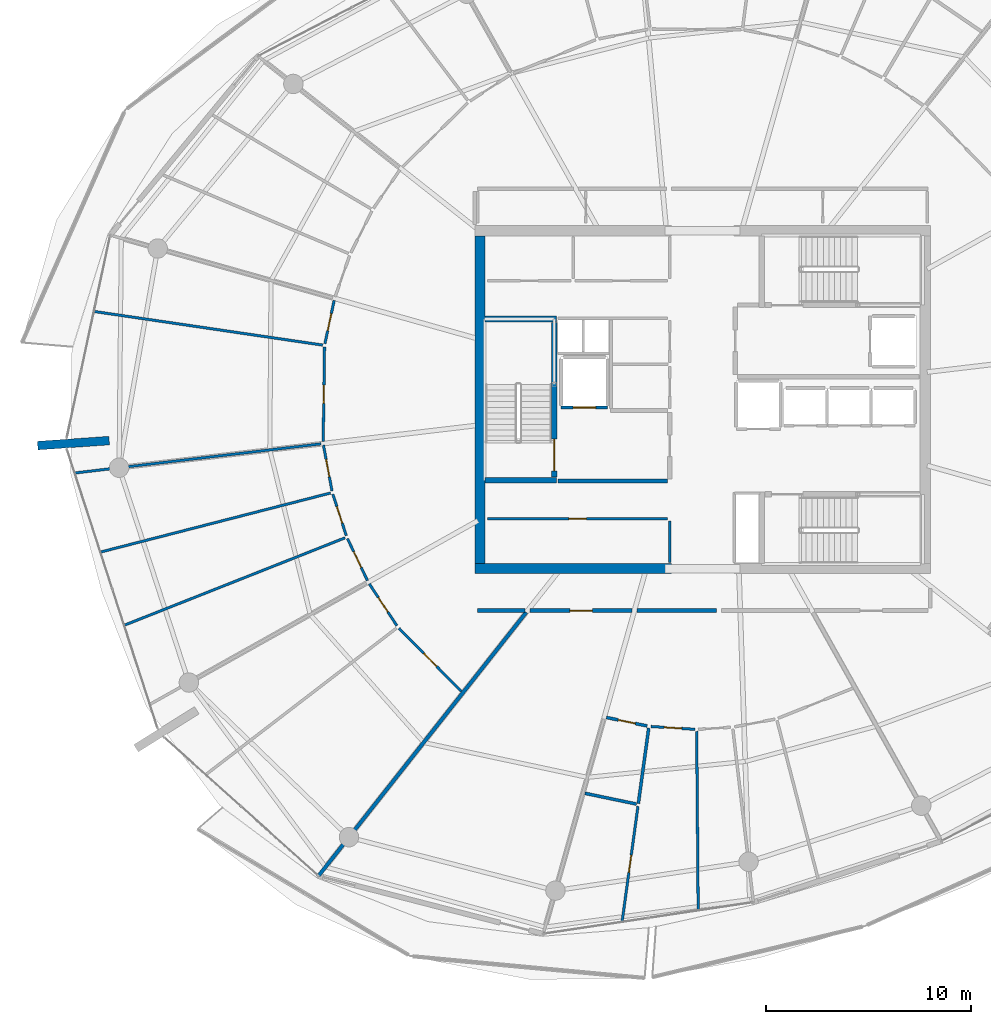
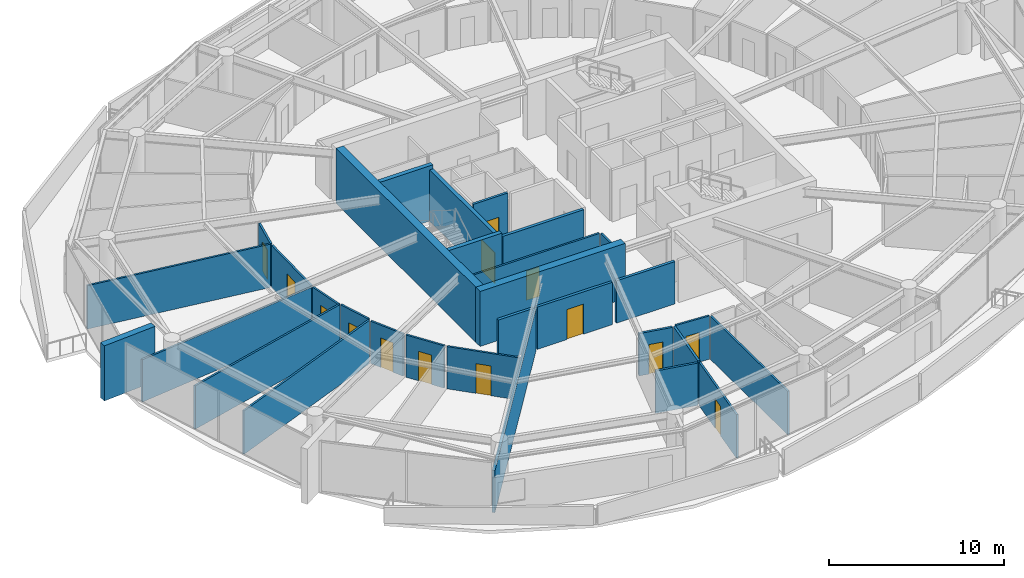
# One storey, part 18 of 30: 31 walls, 14 doors, 14 openings.
"""IFC4 building model written with IfcOpenShell, lengths in metres."""

from ifc_helpers import new_model, si_unit, direction, frame, frame_2d, origin, place, context, subcontext, project, spatial, rectangle, extrude, material, layer, layer_set, type_object, element, fill, save


model = new_model("IFC4")

# Units and contexts
model_context = context("Model", 3, precision=1e-05, world=origin(), true_north=direction((0.0, 1.0)))
body_context = subcontext(model_context, "Body", "Model", "MODEL_VIEW")
ifc_project = project(units=[si_unit("LENGTHUNIT", "METRE"), si_unit("AREAUNIT", "SQUARE_METRE"), si_unit("VOLUMEUNIT", "CUBIC_METRE"), si_unit("PLANEANGLEUNIT", "RADIAN"), si_unit("MASSUNIT", "GRAM", prefix="KILO")], contexts=[model_context])

# Site, building, storey
site_placement = place(None, origin())
site = spatial("IfcSite", under=ifc_project, at=site_placement, CompositionType="ELEMENT")
building_placement = place(site_placement, origin())
building = spatial("IfcBuilding", under=site, at=building_placement, Name="Kazma Halo Residences", CompositionType="ELEMENT")
storey_placement = place(building_placement, frame((0.0, 0.0, 294.449951171875)))
storey = spatial("IfcBuildingStorey", under=building, at=storey_placement, Name="L74", CompositionType="ELEMENT", Elevation=294.449951171875)

# Walls
ifc_material_1 = material(Name="Pale Concrete C60/75", Category="concrete")
ifc_layer_1 = layer(ifc_material_1, 0.419921875)
ifc_layer_set_1 = layer_set([ifc_layer_1], Name="Pale Concrete C60/75")
wall_type_1 = type_object("IfcWallType", Name="WL-BLADE-420", PredefinedType="SOLIDWALL", material=ifc_layer_set_1)
wall_1_placement = place(storey_placement, frame((19.4375, 40.002685546875, 0.0), z_axis=(0.0, 0.0, 1.0), x_axis=(-0.997563824095, -0.069759707979, 0.0)))
element("IfcWall", 1, at=wall_1_placement, inside=storey, type_object=wall_type_1, Name="L74 pale concrete structural blade fin wall BW-02", PredefinedType="SOLIDWALL", context=body_context, shape_type="SweptSolid", body=[
    extrude(rectangle(XDim=3.499755859375, YDim=0.419921875, at=frame_2d((1.75, 0.0))), origin(), (0.0, 0.0, 1.0), 3.85009765625),
])
ifc_material_2 = material(Name="Concrete C60/75", Category="concrete")
ifc_layer_2 = layer(ifc_material_2, 0.5)
ifc_layer_set_2 = layer_set([ifc_layer_2], Name="Concrete C60/75")
wall_type_2 = type_object("IfcWallType", Name="WL-CORE-500", PredefinedType="SHEAR", material=ifc_layer_set_2)
wall_2_placement = place(storey_placement, frame((37.300048828125, 33.75, 0.0), z_axis=(0.0, 0.0, 1.0), x_axis=(1.0, 0.0, 0.0)))
element("IfcWall", 2, at=wall_2_placement, inside=storey, type_object=wall_type_2, Name="L74 central core shear wall SW", PredefinedType="SHEAR", context=body_context, shape_type="SweptSolid", body=[
    extrude(rectangle(XDim=9.599853515625, YDim=0.5, at=frame_2d((4.7998046875, 0.0))), origin(), (0.0, 0.0, 1.0), 3.85009765625),
])
wall_3_placement = place(storey_placement, frame((37.550048828125, 34.0, 0.0), z_axis=(0.0, 0.0, 1.0), x_axis=(0.0, 1.0, 0.0)))
element("IfcWall", 3, at=wall_3_placement, inside=storey, type_object=wall_type_2, Name="L74 central core shear wall W", PredefinedType="SHEAR", context=body_context, shape_type="SweptSolid", body=[
    extrude(rectangle(XDim=16.0, YDim=0.5, at=frame_2d((8.0, 0.0))), origin(), (0.0, 0.0, 1.0), 3.85009765625),
])
ifc_layer_3 = layer(ifc_material_2, 0.280029296875)
ifc_layer_set_3 = layer_set([ifc_layer_3], Name="Concrete C60/75")
wall_type_3 = type_object("IfcWallType", Name="WL-CORE-ST-280", PredefinedType="SHEAR", material=ifc_layer_set_3)
for number, where, z_axis, x_axis, name in (
    (4, (37.800048828125, 38.06005859375, 0.0), (0.0, 0.0, 1.0), (1.0, 0.0, 0.0), "L74 stairwell bearing wall ST01-S"),
    (5, (37.800048828125, 45.93994140625, 0.0), (0.0, 0.0, 1.0), (1.0, 0.0, 0.0), "L74 stairwell bearing wall ST01-N"),
):
    element("IfcWall", number, at=place(storey_placement, frame(where, z_axis=z_axis, x_axis=x_axis)), inside=storey, type_object=wall_type_3, Name=name, PredefinedType="SHEAR", context=body_context, shape_type="SweptSolid", body=[
        extrude(rectangle(XDim=3.5, YDim=0.280029296875, at=frame_2d((1.75, 0.0))), origin(), (0.0, 0.0, 1.0), 3.85009765625),
    ])
ifc_material_3 = material(Name="Acoustic Twin-Stud Gypsum")
ifc_layer_4 = layer(ifc_material_3, 0.179931640625)
ifc_layer_set_4 = layer_set([ifc_layer_4], Name="Acoustic Twin-Stud Gypsum")
wall_type_4 = type_object("IfcWallType", Name="WL-DEM-180", PredefinedType="PARTITIONING", material=ifc_layer_set_4)
wall_4_placement = place(storey_placement, frame((39.81201171875, 31.613525390625, 0.0), z_axis=(0.0, 0.0, 1.0), x_axis=(-0.619097230176, -0.785314344443, 0.0)))
element("IfcWall", 6, at=wall_4_placement, inside=storey, type_object=wall_type_4, Name="L74 apartment demising radial wall 09", PredefinedType="PARTITIONING", context=body_context, shape_type="SweptSolid", body=[
    extrude(rectangle(XDim=16.369873046875, YDim=0.179931640625, at=frame_2d((8.18505859375, 0.0))), origin(), (0.0, 0.0, 1.0), 2.95703125),
])

# Wall, opening, door
wall_5_placement = place(storey_placement, frame((40.0, 31.699951171875, 0.0), z_axis=(0.0, 0.0, 1.0), x_axis=(1.0, 0.0, 0.0)))
wall_5 = element("IfcWall", 7, at=wall_5_placement, inside=storey, type_object=wall_type_4, Name="L74 Apartment 1 entrance corridor wall", PredefinedType="PARTITIONING", context=body_context, shape_type="SweptSolid", body=[
    extrude(rectangle(XDim=4.97509765625, YDim=0.179931640625, at=frame_2d((2.487548828125, 0.0))), origin(), (0.0, 0.0, 1.0), 2.95703125),
])
opening_1_placement = place(wall_5_placement, frame((1.9375, 0.0, 0.0)))
opening_1 = element("IfcOpeningElement", 8, at=opening_1_placement, cuts=wall_5, Name="Opening DA-1100", PredefinedType="OPENING", context=body_context, shape_type="SweptSolid", body=[
    extrude(rectangle(XDim=1.10009765625, YDim=2.10009765625, at=frame_2d((0.550048828125, 1.050048828125))), frame((0.0, 0.099853515625, 0.0), z_axis=(0.0, -1.0, 0.0), x_axis=(1.0, 0.0, 0.0)), (0.0, 0.0, 1.0), 0.199951171875),
])
ifc_material_4 = material(Name="Acoustic Walnut Fire Leaf")
door_type_1 = type_object("IfcDoorType", Name="DR-FD60-1100", OperationType="NOTDEFINED", PredefinedType="DOOR", material=ifc_material_4)
door_1_placement = place(opening_1_placement, origin())
door_1 = element("IfcDoor", 9, at=door_1_placement, inside=storey, type_object=door_type_1, Name="L74 Apartment 1 entrance fire door", OperationType="SINGLE_SWING_RIGHT", OverallHeight=2.10009765625, OverallWidth=1.10009765625, PredefinedType="DOOR", context=body_context, shape_type="SweptSolid", body=[
    extrude(rectangle(XDim=1.10009765625, YDim=2.10009765625, at=frame_2d((0.550048828125, 1.050048828125))), frame((0.0, 0.02490234375, 0.0), z_axis=(0.0, -1.0, 0.0), x_axis=(1.0, 0.0, 0.0)), (0.0, 0.0, 1.0), 0.050048828125),
])
fill(opening_1, door_1)

# Walls
wall_6_placement = place(storey_placement, frame((45.215087890625, 31.699951171875, 0.0), z_axis=(0.0, 0.0, 1.0), x_axis=(1.0, 0.0, 0.0)))
element("IfcWall", 10, at=wall_6_placement, inside=storey, type_object=wall_type_4, Name="L74 Apartment 1 inner wall 10", PredefinedType="PARTITIONING", context=body_context, shape_type="SweptSolid", body=[
    extrude(rectangle(XDim=3.884033203125, YDim=0.179931640625, at=frame_2d((1.94189453125, 0.0))), origin(), (0.0, 0.0, 1.0), 2.95703125),
])
wall_7_placement = place(storey_placement, frame((37.419921875, 31.699951171875, 0.0), z_axis=(0.0, 0.0, 1.0), x_axis=(1.0, 0.0, 0.0)))
element("IfcWall", 11, at=wall_7_placement, inside=storey, type_object=wall_type_4, Name="L74 Apartment 2 inner wall 8", PredefinedType="PARTITIONING", context=body_context, shape_type="SweptSolid", body=[
    extrude(rectangle(XDim=2.340087890625, YDim=0.179931640625, at=frame_2d((1.169921875, 0.0))), origin(), (0.0, 0.0, 1.0), 2.95703125),
])

# Wall, opening, door
ifc_material_5 = material(Name="Fire-Rated Blockwork Masonry", Category="masonry")
ifc_layer_5 = layer(ifc_material_5, 0.199951171875)
ifc_layer_set_5 = layer_set([ifc_layer_5], Name="Fire-Rated Blockwork Masonry")
wall_type_5 = type_object("IfcWallType", Name="WL-FLB-200", PredefinedType="PARTITIONING", material=ifc_layer_set_5)
wall_8_placement = place(storey_placement, frame((43.780029296875, 41.6201171875, 0.0), z_axis=(0.0, 0.0, 1.0), x_axis=(-1.0, 0.0, 0.0)))
wall_8 = element("IfcWall", 12, at=wall_8_placement, inside=storey, type_object=wall_type_5, Name="L74 lift shaft FL-01 front wall", PredefinedType="PARTITIONING", context=body_context, shape_type="SweptSolid", body=[
    extrude(rectangle(XDim=2.260009765625, YDim=0.159912109375, at=frame_2d((1.1298828125, 0.0))), origin(), (0.0, 0.0, 1.0), 3.590087890625),
])
opening_2_placement = place(wall_8_placement, frame((0.580078125, 0.0, 0.0)))
opening_2 = element("IfcOpeningElement", 13, at=opening_2_placement, cuts=wall_8, Name="Opening LD-FL-01", PredefinedType="OPENING", context=body_context, shape_type="SweptSolid", body=[
    extrude(rectangle(XDim=1.10009765625, YDim=2.10009765625, at=frame_2d((0.550048828125, 1.050048828125))), frame((0.0, 0.08984375, 0.0), z_axis=(0.0, -1.0, 0.0), x_axis=(1.0, 0.0, 0.0)), (0.0, 0.0, 1.0), 0.179931640625),
])
ifc_material_6 = material(Name="Stainless Steel Fire-Rated", Category="steel")
door_type_2 = type_object("IfcDoorType", Name="DR-LIFT-SLD-1100", OperationType="DOUBLE_DOOR_SLIDING", PredefinedType="DOOR", material=ifc_material_6)
door_2_placement = place(opening_2_placement, origin())
door_2 = element("IfcDoor", 14, at=door_2_placement, inside=storey, type_object=door_type_2, Name="L74 lift FL-01 sliding landing door", OperationType="DOUBLE_DOOR_SLIDING", OverallHeight=2.10009765625, OverallWidth=1.10009765625, PredefinedType="DOOR", context=body_context, shape_type="SweptSolid", body=[
    extrude(rectangle(XDim=1.10009765625, YDim=2.10009765625, at=frame_2d((0.550048828125, 1.050048828125))), frame((0.0, 0.02490234375, 0.0), z_axis=(0.0, -1.0, 0.0), x_axis=(1.0, 0.0, 0.0)), (0.0, 0.0, 1.0), 0.050048828125),
])
fill(opening_2, door_2)

# Walls
wall_9_placement = place(storey_placement, frame((41.35009765625, 38.02001953125, 0.0), z_axis=(0.0, 0.0, 1.0), x_axis=(1.0, 0.0, 0.0)))
element("IfcWall", 15, at=wall_9_placement, inside=storey, type_object=wall_type_5, Name="L74 west firefighting lobby south smoke wall", PredefinedType="PARTITIONING", context=body_context, shape_type="SweptSolid", body=[
    extrude(rectangle(XDim=5.369873046875, YDim=0.199951171875, at=frame_2d((2.68505859375, 0.0))), origin(), (0.0, 0.0, 1.0), 3.590087890625),
])
ifc_material_7 = material(Name="Gypsum Plasterboard Partition")
ifc_layer_6 = layer(ifc_material_7, 0.125)
ifc_layer_set_6 = layer_set([ifc_layer_6], Name="Gypsum Plasterboard Partition")
wall_type_6 = type_object("IfcWallType", Name="WL-PART-125", PredefinedType="PARTITIONING", material=ifc_layer_set_6)
wall_10_placement = place(storey_placement, frame((46.820068359375, 34.050048828125, 0.0), z_axis=(0.0, 0.0, 1.0), x_axis=(0.0, 1.0, 0.0)))
element("IfcWall", 16, at=wall_10_placement, inside=storey, type_object=wall_type_6, Name="L74 reclaimed south east wall", PredefinedType="PARTITIONING", context=body_context, shape_type="SweptSolid", body=[
    extrude(rectangle(XDim=2.030029296875, YDim=0.125, at=frame_2d((1.01513671875, 0.0))), origin(), (0.0, 0.0, 1.0), 3.030029296875),
])

# Wall, opening, door
wall_11_placement = place(storey_placement, frame((37.919921875, 36.179931640625, 0.0), z_axis=(0.0, 0.0, 1.0), x_axis=(1.0, 0.0, 0.0)))
wall_11 = element("IfcWall", 17, at=wall_11_placement, inside=storey, type_object=wall_type_6, Name="L74 reclaimed south front wall", PredefinedType="PARTITIONING", context=body_context, shape_type="SweptSolid", body=[
    extrude(rectangle(XDim=8.800048828125, YDim=0.125, at=frame_2d((4.39990234375, 0.0))), origin(), (0.0, 0.0, 1.0), 3.030029296875),
])
opening_3_placement = place(wall_11_placement, frame((3.97509765625, 0.0, 0.0)))
opening_3 = element("IfcOpeningElement", 18, at=opening_3_placement, cuts=wall_11, Name="Opening DS-850", PredefinedType="OPENING", context=body_context, shape_type="SweptSolid", body=[
    extrude(rectangle(XDim=0.85009765625, YDim=2.06005859375, at=frame_2d((0.425048828125, 1.030029296875))), frame((0.0, 0.072509765625, 0.0), z_axis=(0.0, -1.0, 0.0), x_axis=(1.0, 0.0, 0.0)), (0.0, 0.0, 1.0), 0.14501953125),
])
ifc_material_8 = material(Name="Painted Steel Access Leaf", Category="steel")
door_type_3 = type_object("IfcDoorType", Name="DR-SVC-850", OperationType="NOTDEFINED", PredefinedType="DOOR", material=ifc_material_8)
door_3_placement = place(opening_3_placement, origin())
door_3 = element("IfcDoor", 19, at=door_3_placement, inside=storey, type_object=door_type_3, Name="L74 reclaimed south service door", OperationType="SINGLE_SWING_LEFT", OverallHeight=2.06005859375, OverallWidth=0.85009765625, PredefinedType="DOOR", context=body_context, shape_type="SweptSolid", body=[
    extrude(rectangle(XDim=0.85009765625, YDim=2.06005859375, at=frame_2d((0.425048828125, 1.030029296875))), frame((0.0, 0.02490234375, 0.0), z_axis=(0.0, -1.0, 0.0), x_axis=(1.0, 0.0, 0.0)), (0.0, 0.0, 1.0), 0.050048828125),
])
fill(opening_3, door_3)

wall_12_placement = place(storey_placement, frame((45.26904296875, 22.140869140625, 0.0), z_axis=(0.0, 0.0, 1.0), x_axis=(-0.136209906248, -0.990679999515, 0.0)))
wall_12 = element("IfcWall", 20, at=wall_12_placement, inside=storey, type_object=wall_type_6, Name="L74 Apartment 1 Household Store Room partition wall", PredefinedType="PARTITIONING", context=body_context, shape_type="SweptSolid", body=[
    extrude(rectangle(XDim=5.681884765625, YDim=0.125, at=frame_2d((2.8408203125, 0.0))), origin(), (0.0, 0.0, 1.0), 3.030029296875),
])
opening_4_placement = place(wall_12_placement, frame((2.416015625, 0.0, 0.0)))
opening_4 = element("IfcOpeningElement", 21, at=opening_4_placement, cuts=wall_12, Name="Opening DB-900", PredefinedType="OPENING", context=body_context, shape_type="SweptSolid", body=[
    extrude(rectangle(XDim=0.85009765625, YDim=2.06005859375, at=frame_2d((0.425048828125, 1.030029296875))), frame((0.0, 0.072509765625, 0.0), z_axis=(0.0, -1.0, 0.0), x_axis=(1.0, 0.0, 0.0)), (0.0, 0.0, 1.0), 0.14501953125),
])
ifc_material_9 = material(Name="Moisture-Sealed Timber Leaf", Category="wood")
door_type_4 = type_object("IfcDoorType", Name="DR-BTH-900", OperationType="NOTDEFINED", PredefinedType="DOOR", material=ifc_material_9)
door_4_placement = place(opening_4_placement, origin())
door_4 = element("IfcDoor", 22, at=door_4_placement, inside=storey, type_object=door_type_4, Name="L74 Apartment 1 Household Store Room door", OperationType="SINGLE_SWING_RIGHT", OverallHeight=2.06005859375, OverallWidth=0.85009765625, PredefinedType="DOOR", context=body_context, shape_type="SweptSolid", body=[
    extrude(rectangle(XDim=0.85009765625, YDim=2.06005859375, at=frame_2d((0.425048828125, 1.030029296875))), frame((0.0, 0.02490234375, 0.0), z_axis=(0.0, -1.0, 0.0), x_axis=(1.0, 0.0, 0.0)), (0.0, 0.0, 1.0), 0.050048828125),
])
fill(opening_4, door_4)

# Wall
wall_13_placement = place(storey_placement, frame((48.135986328125, 25.8046875, 0.0), z_axis=(0.0, 0.0, 1.0), x_axis=(0.008358200711, -0.99996506963, 0.0)))
element("IfcWall", 23, at=wall_13_placement, inside=storey, type_object=wall_type_6, Name="L74 Apartment 1 suite divider 10", PredefinedType="PARTITIONING", context=body_context, shape_type="SweptSolid", body=[
    extrude(rectangle(XDim=8.733642578125, YDim=0.125, at=frame_2d((4.36669921875, 0.0))), origin(), (0.0, 0.0, 1.0), 3.030029296875),
])

# Wall, opening, door
wall_14_placement = place(storey_placement, frame((45.8955078125, 26.038330078125, 0.0), z_axis=(0.0, 0.0, 1.0), x_axis=(0.997945365671, -0.064070641766, 0.0)))
wall_14 = element("IfcWall", 24, at=wall_14_placement, inside=storey, type_object=wall_type_6, Name="L74 Apartment 1 Gourmet Kitchen hall wall", PredefinedType="PARTITIONING", context=body_context, shape_type="SweptSolid", body=[
    extrude(rectangle(XDim=2.164306640625, YDim=0.125, at=frame_2d((1.08203125, 0.0))), origin(), (0.0, 0.0, 1.0), 3.030029296875),
])
opening_5_placement = place(wall_14_placement, frame((0.656982421875, 0.0, 0.0)))
opening_5 = element("IfcOpeningElement", 25, at=opening_5_placement, cuts=wall_14, Name="Opening DB-900", PredefinedType="OPENING", context=body_context, shape_type="SweptSolid", body=[
    extrude(rectangle(XDim=0.85009765625, YDim=2.06005859375, at=frame_2d((0.425048828125, 1.030029296875))), frame((0.0, 0.072509765625, 0.0), z_axis=(0.0, -1.0, 0.0), x_axis=(1.0, 0.0, 0.0)), (0.0, 0.0, 1.0), 0.14501953125),
])
door_5_placement = place(opening_5_placement, origin())
door_5 = element("IfcDoor", 26, at=door_5_placement, inside=storey, type_object=door_type_4, Name="L74 Apartment 1 Gourmet Kitchen door", OperationType="SINGLE_SWING_LEFT", OverallHeight=2.06005859375, OverallWidth=0.85009765625, PredefinedType="DOOR", context=body_context, shape_type="SweptSolid", body=[
    extrude(rectangle(XDim=0.85009765625, YDim=2.06005859375, at=frame_2d((0.425048828125, 1.030029296875))), frame((0.0, 0.02490234375, 0.0), z_axis=(0.0, -1.0, 0.0), x_axis=(1.0, 0.0, 0.0)), (0.0, 0.0, 1.0), 0.050048828125),
])
fill(opening_5, door_5)

# Wall
wall_15_placement = place(storey_placement, frame((29.869140625, 44.66748046875, 0.0), z_axis=(0.0, 0.0, 1.0), x_axis=(-0.989345560315, 0.145586270938, 0.0)))
element("IfcWall", 27, at=wall_15_placement, inside=storey, type_object=wall_type_6, Name="L74 Apartment 2 mid-bay wall 6", PredefinedType="PARTITIONING", context=body_context, shape_type="SweptSolid", body=[
    extrude(rectangle(XDim=11.2724609375, YDim=0.125, at=frame_2d((5.63623046875, 0.0))), origin(), (0.0, 0.0, 1.0), 3.030029296875),
])

# Wall, opening, door
wall_16_placement = place(storey_placement, frame((30.427734375, 46.852294921875, 0.0), z_axis=(0.0, 0.0, 1.0), x_axis=(-0.208944429957, -0.977927515305, 0.0)))
wall_16 = element("IfcWall", 28, at=wall_16_placement, inside=storey, type_object=wall_type_6, Name="L74 Apartment 2 Corner Wine Pantry Store hall wall", PredefinedType="PARTITIONING", context=body_context, shape_type="SweptSolid", body=[
    extrude(rectangle(XDim=2.16748046875, YDim=0.125, at=frame_2d((1.083740234375, 0.0))), origin(), (0.0, 0.0, 1.0), 2.95703125),
])
opening_6_placement = place(wall_16_placement, frame((0.65869140625, 0.0, 0.0)))
opening_6 = element("IfcOpeningElement", 29, at=opening_6_placement, cuts=wall_16, Name="Opening DB-900", PredefinedType="OPENING", context=body_context, shape_type="SweptSolid", body=[
    extrude(rectangle(XDim=0.85009765625, YDim=2.06005859375, at=frame_2d((0.425048828125, 1.030029296875))), frame((0.0, 0.072509765625, 0.0), z_axis=(0.0, -1.0, 0.0), x_axis=(1.0, 0.0, 0.0)), (0.0, 0.0, 1.0), 0.14501953125),
])
door_6_placement = place(opening_6_placement, origin())
door_6 = element("IfcDoor", 30, at=door_6_placement, inside=storey, type_object=door_type_4, Name="L74 Apartment 2 Corner Wine Pantry Store door", OperationType="SINGLE_SWING_LEFT", OverallHeight=2.06005859375, OverallWidth=0.85009765625, PredefinedType="DOOR", context=body_context, shape_type="SweptSolid", body=[
    extrude(rectangle(XDim=0.85009765625, YDim=2.06005859375, at=frame_2d((0.425048828125, 1.030029296875))), frame((0.0, 0.02490234375, 0.0), z_axis=(0.0, -1.0, 0.0), x_axis=(1.0, 0.0, 0.0)), (0.0, 0.0, 1.0), 0.050048828125),
])
fill(opening_6, door_6)

wall_17_placement = place(storey_placement, frame((29.95703125, 44.574462890625, 0.0), z_axis=(0.0, 0.0, 1.0), x_axis=(-0.014114375014, -0.999900387248, 0.0)))
wall_17 = element("IfcWall", 31, at=wall_17_placement, inside=storey, type_object=wall_type_6, Name="L74 Apartment 2 Garden Formal Dining Room hall wall", PredefinedType="PARTITIONING", context=body_context, shape_type="SweptSolid", body=[
    extrude(rectangle(XDim=4.618408203125, YDim=0.125, at=frame_2d((2.30908203125, 0.0))), origin(), (0.0, 0.0, 1.0), 2.95703125),
])
opening_7_placement = place(wall_17_placement, frame((1.859130859375, 0.0, 0.0)))
opening_7 = element("IfcOpeningElement", 32, at=opening_7_placement, cuts=wall_17, Name="Opening DI-950", PredefinedType="OPENING", context=body_context, shape_type="SweptSolid", body=[
    extrude(rectangle(XDim=0.89990234375, YDim=2.080078125, at=frame_2d((0.449951171875, 1.0400390625))), frame((0.0, 0.072509765625, 0.0), z_axis=(0.0, -1.0, 0.0), x_axis=(1.0, 0.0, 0.0)), (0.0, 0.0, 1.0), 0.14501953125),
])
ifc_material_10 = material(Name="Timber Veneer Flush Leaf", Category="wood")
door_type_5 = type_object("IfcDoorType", Name="DR-INT-950", OperationType="NOTDEFINED", PredefinedType="DOOR", material=ifc_material_10)
door_7_placement = place(opening_7_placement, origin())
door_7 = element("IfcDoor", 33, at=door_7_placement, inside=storey, type_object=door_type_5, Name="L74 Apartment 2 Garden Formal Dining Room door", OperationType="SINGLE_SWING_RIGHT", OverallHeight=2.080078125, OverallWidth=0.89990234375, PredefinedType="DOOR", context=body_context, shape_type="SweptSolid", body=[
    extrude(rectangle(XDim=0.89990234375, YDim=2.080078125, at=frame_2d((0.449951171875, 1.0400390625))), frame((0.0, 0.02490234375, 0.0), z_axis=(0.0, -1.0, 0.0), x_axis=(1.0, 0.0, 0.0)), (0.0, 0.0, 1.0), 0.050048828125),
])
fill(opening_7, door_7)

# Walls
wall_18_placement = place(storey_placement, frame((29.791015625, 39.8447265625, 0.0), z_axis=(0.0, 0.0, 1.0), x_axis=(-0.993069062241, -0.117532283306, 0.0)))
element("IfcWall", 34, at=wall_18_placement, inside=storey, type_object=wall_type_6, Name="L74 Apartment 2 radial partition 7", PredefinedType="PARTITIONING", context=body_context, shape_type="SweptSolid", body=[
    extrude(rectangle(XDim=12.093505859375, YDim=0.125, at=frame_2d((6.046875, 0.0))), origin(), (0.0, 0.0, 1.0), 2.95703125),
])
for number, where, z_axis, x_axis, name in (
    (35, (30.249755859375, 37.4423828125, 0.0), (0.0, 0.0, 1.0), (-0.968584853299, -0.248683296503, 0.0), "L74 Apartment 2 bay wall 1 7"),
    (36, (30.9609375, 35.25390625, 0.0), (0.0, 0.0, 1.0), (-0.929771128666, -0.368138083195, 0.0), "L74 Apartment 2 bay wall 2 7"),
):
    element("IfcWall", number, at=place(storey_placement, frame(where, z_axis=z_axis, x_axis=x_axis)), inside=storey, type_object=wall_type_6, Name=name, PredefinedType="PARTITIONING", context=body_context, shape_type="SweptSolid", body=[
        extrude(rectangle(XDim=11.57763671875, YDim=0.125, at=frame_2d((5.788818359375, 0.0))), origin(), (0.0, 0.0, 1.0), 3.030029296875),
    ])

# Wall, opening, door
wall_19_placement = place(storey_placement, frame((29.905029296875, 39.778076171875, 0.0), z_axis=(0.0, 0.0, 1.0), x_axis=(0.183542776788, -0.98301172378, 0.0)))
wall_19 = element("IfcWall", 37, at=wall_19_placement, inside=storey, type_object=wall_type_6, Name="L74 Apartment 2 Sky Master Bedroom hall wall", PredefinedType="PARTITIONING", context=body_context, shape_type="SweptSolid", body=[
    extrude(rectangle(XDim=2.273193359375, YDim=0.125, at=frame_2d((1.13671875, 0.0))), origin(), (0.0, 0.0, 1.0), 2.95703125),
])
opening_8_placement = place(wall_19_placement, frame((0.71142578125, 0.0, 0.0)))
opening_8 = element("IfcOpeningElement", 38, at=opening_8_placement, cuts=wall_19, Name="Opening DB-900", PredefinedType="OPENING", context=body_context, shape_type="SweptSolid", body=[
    extrude(rectangle(XDim=0.85009765625, YDim=2.06005859375, at=frame_2d((0.425048828125, 1.030029296875))), frame((0.0, 0.072509765625, 0.0), z_axis=(0.0, -1.0, 0.0), x_axis=(1.0, 0.0, 0.0)), (0.0, 0.0, 1.0), 0.14501953125),
])
door_8_placement = place(opening_8_placement, origin())
door_8 = element("IfcDoor", 39, at=door_8_placement, inside=storey, type_object=door_type_4, Name="L74 Apartment 2 Sky Master Bedroom door", OperationType="SINGLE_SWING_LEFT", OverallHeight=2.06005859375, OverallWidth=0.85009765625, PredefinedType="DOOR", context=body_context, shape_type="SweptSolid", body=[
    extrude(rectangle(XDim=0.85009765625, YDim=2.06005859375, at=frame_2d((0.425048828125, 1.030029296875))), frame((0.0, 0.02490234375, 0.0), z_axis=(0.0, -1.0, 0.0), x_axis=(1.0, 0.0, 0.0)), (0.0, 0.0, 1.0), 0.050048828125),
])
fill(opening_8, door_8)

wall_20_placement = place(storey_placement, frame((30.361572265625, 37.388916015625, 0.0), z_axis=(0.0, 0.0, 1.0), x_axis=(0.309101621342, -0.951029015164, 0.0)))
wall_20 = element("IfcWall", 40, at=wall_20_placement, inside=storey, type_object=wall_type_6, Name="L74 Apartment 2 Gulf Dressing Wardrobe hall wall", PredefinedType="PARTITIONING", context=body_context, shape_type="SweptSolid", body=[
    extrude(rectangle(XDim=2.130126953125, YDim=0.125, at=frame_2d((1.06494140625, 0.0))), origin(), (0.0, 0.0, 1.0), 3.030029296875),
])
opening_9_placement = place(wall_20_placement, frame((0.639892578125, 0.0, 0.0)))
opening_9 = element("IfcOpeningElement", 41, at=opening_9_placement, cuts=wall_20, Name="Opening DB-900", PredefinedType="OPENING", context=body_context, shape_type="SweptSolid", body=[
    extrude(rectangle(XDim=0.85009765625, YDim=2.06005859375, at=frame_2d((0.425048828125, 1.030029296875))), frame((0.0, 0.072509765625, 0.0), z_axis=(0.0, -1.0, 0.0), x_axis=(1.0, 0.0, 0.0)), (0.0, 0.0, 1.0), 0.14501953125),
])
door_9_placement = place(opening_9_placement, origin())
door_9 = element("IfcDoor", 42, at=door_9_placement, inside=storey, type_object=door_type_4, Name="L74 Apartment 2 Gulf Dressing Wardrobe door", OperationType="SINGLE_SWING_RIGHT", OverallHeight=2.06005859375, OverallWidth=0.85009765625, PredefinedType="DOOR", context=body_context, shape_type="SweptSolid", body=[
    extrude(rectangle(XDim=0.85009765625, YDim=2.06005859375, at=frame_2d((0.425048828125, 1.030029296875))), frame((0.0, 0.02490234375, 0.0), z_axis=(0.0, -1.0, 0.0), x_axis=(1.0, 0.0, 0.0)), (0.0, 0.0, 1.0), 0.050048828125),
])
fill(opening_9, door_9)

wall_21_placement = place(storey_placement, frame((31.078857421875, 35.214599609375, 0.0), z_axis=(0.0, 0.0, 1.0), x_axis=(0.429424853731, -0.903102593839, 0.0)))
wall_21 = element("IfcWall", 43, at=wall_21_placement, inside=storey, type_object=wall_type_6, Name="L74 Apartment 2 Primary Master Bedroom hall wall", PredefinedType="PARTITIONING", context=body_context, shape_type="SweptSolid", body=[
    extrude(rectangle(XDim=2.27294921875, YDim=0.125, at=frame_2d((1.136474609375, 0.0))), origin(), (0.0, 0.0, 1.0), 2.95703125),
])
opening_10_placement = place(wall_21_placement, frame((0.71142578125, 0.0, 0.0)))
opening_10 = element("IfcOpeningElement", 44, at=opening_10_placement, cuts=wall_21, Name="Opening DB-900", PredefinedType="OPENING", context=body_context, shape_type="SweptSolid", body=[
    extrude(rectangle(XDim=0.85009765625, YDim=2.06005859375, at=frame_2d((0.425048828125, 1.030029296875))), frame((0.0, 0.072509765625, 0.0), z_axis=(0.0, -1.0, 0.0), x_axis=(1.0, 0.0, 0.0)), (0.0, 0.0, 1.0), 0.14501953125),
])
door_10_placement = place(opening_10_placement, origin())
door_10 = element("IfcDoor", 45, at=door_10_placement, inside=storey, type_object=door_type_4, Name="L74 Apartment 2 Primary Master Bedroom door", OperationType="SINGLE_SWING_LEFT", OverallHeight=2.06005859375, OverallWidth=0.85009765625, PredefinedType="DOOR", context=body_context, shape_type="SweptSolid", body=[
    extrude(rectangle(XDim=0.85009765625, YDim=2.06005859375, at=frame_2d((0.425048828125, 1.030029296875))), frame((0.0, 0.02490234375, 0.0), z_axis=(0.0, -1.0, 0.0), x_axis=(1.0, 0.0, 0.0)), (0.0, 0.0, 1.0), 0.050048828125),
])
fill(opening_10, door_10)

wall_22_placement = place(storey_placement, frame((32.144287109375, 33.006103515625, 0.0), z_axis=(0.0, 0.0, 1.0), x_axis=(0.550305477067, -0.83496340154, 0.0)))
wall_22 = element("IfcWall", 46, at=wall_22_placement, inside=storey, type_object=wall_type_6, Name="L74 Apartment 2 Secondary Wine Pantry Store hall wall", PredefinedType="PARTITIONING", context=body_context, shape_type="SweptSolid", body=[
    extrude(rectangle(XDim=2.452880859375, YDim=0.125, at=frame_2d((1.2265625, 0.0))), origin(), (0.0, 0.0, 1.0), 2.95703125),
])
opening_11_placement = place(wall_22_placement, frame((0.801513671875, 0.0, 0.0)))
opening_11 = element("IfcOpeningElement", 47, at=opening_11_placement, cuts=wall_22, Name="Opening DB-900", PredefinedType="OPENING", context=body_context, shape_type="SweptSolid", body=[
    extrude(rectangle(XDim=0.85009765625, YDim=2.06005859375, at=frame_2d((0.425048828125, 1.030029296875))), frame((0.0, 0.072509765625, 0.0), z_axis=(0.0, -1.0, 0.0), x_axis=(1.0, 0.0, 0.0)), (0.0, 0.0, 1.0), 0.14501953125),
])
door_11_placement = place(opening_11_placement, origin())
door_11 = element("IfcDoor", 48, at=door_11_placement, inside=storey, type_object=door_type_4, Name="L74 Apartment 2 Secondary Wine Pantry Store door", OperationType="SINGLE_SWING_LEFT", OverallHeight=2.06005859375, OverallWidth=0.85009765625, PredefinedType="DOOR", context=body_context, shape_type="SweptSolid", body=[
    extrude(rectangle(XDim=0.85009765625, YDim=2.06005859375, at=frame_2d((0.425048828125, 1.030029296875))), frame((0.0, 0.02490234375, 0.0), z_axis=(0.0, -1.0, 0.0), x_axis=(1.0, 0.0, 0.0)), (0.0, 0.0, 1.0), 0.050048828125),
])
fill(opening_11, door_11)

wall_23_placement = place(storey_placement, frame((33.594482421875, 30.834228515625, 0.0), z_axis=(0.0, 0.0, 1.0), x_axis=(0.702642820289, -0.711542737365, 0.0)))
wall_23 = element("IfcWall", 49, at=wall_23_placement, inside=storey, type_object=wall_type_6, Name="L74 Apartment 2 East Formal Dining Room hall wall", PredefinedType="PARTITIONING", context=body_context, shape_type="SweptSolid", body=[
    extrude(rectangle(XDim=4.334228515625, YDim=0.125, at=frame_2d((2.1669921875, 0.0))), origin(), (0.0, 0.0, 1.0), 2.95703125),
])
opening_12_placement = place(wall_23_placement, frame((1.717041015625, 0.0, 0.0)))
opening_12 = element("IfcOpeningElement", 50, at=opening_12_placement, cuts=wall_23, Name="Opening DI-950", PredefinedType="OPENING", context=body_context, shape_type="SweptSolid", body=[
    extrude(rectangle(XDim=0.89990234375, YDim=2.080078125, at=frame_2d((0.449951171875, 1.0400390625))), frame((0.0, 0.072509765625, 0.0), z_axis=(0.0, -1.0, 0.0), x_axis=(1.0, 0.0, 0.0)), (0.0, 0.0, 1.0), 0.14501953125),
])
door_12_placement = place(opening_12_placement, origin())
door_12 = element("IfcDoor", 51, at=door_12_placement, inside=storey, type_object=door_type_5, Name="L74 Apartment 2 East Formal Dining Room door", OperationType="SINGLE_SWING_RIGHT", OverallHeight=2.080078125, OverallWidth=0.89990234375, PredefinedType="DOOR", context=body_context, shape_type="SweptSolid", body=[
    extrude(rectangle(XDim=0.89990234375, YDim=2.080078125, at=frame_2d((0.449951171875, 1.0400390625))), frame((0.0, 0.02490234375, 0.0), z_axis=(0.0, -1.0, 0.0), x_axis=(1.0, 0.0, 0.0)), (0.0, 0.0, 1.0), 0.050048828125),
])
fill(opening_12, door_12)

ifc_material_11 = material(Name="Concrete C50/60", Category="concrete")
ifc_layer_7 = layer(ifc_material_11, 0.25)
ifc_layer_set_7 = layer_set([ifc_layer_7], Name="Concrete C50/60")
wall_type_7 = type_object("IfcWallType", Name="WL-SHF-250", PredefinedType="SOLIDWALL", material=ifc_layer_set_7)
wall_24_placement = place(storey_placement, frame((41.179931640625, 38.219970703125, 0.0), z_axis=(0.0, 0.0, 1.0), x_axis=(0.0, 1.0, 0.0)))
wall_24 = element("IfcWall", 52, at=wall_24_placement, inside=storey, type_object=wall_type_7, Name="L74 exit stair ST-01 enclosure wall", PredefinedType="SOLIDWALL", context=body_context, shape_type="SweptSolid", body=[
    extrude(rectangle(XDim=7.56005859375, YDim=0.25, at=frame_2d((3.780029296875, 0.0))), origin(), (0.0, 0.0, 1.0), 3.590087890625),
])
opening_13_placement = place(wall_24_placement, frame((0.300048828125, 0.0, 0.0)))
opening_13 = element("IfcOpeningElement", 53, at=opening_13_placement, cuts=wall_24, Name="Opening D-ST1", PredefinedType="OPENING", context=body_context, shape_type="SweptSolid", body=[
    extrude(rectangle(XDim=1.550048828125, YDim=2.14990234375, at=frame_2d((0.77490234375, 1.074951171875))), frame((0.0, 0.135009765625, 0.0), z_axis=(0.0, -1.0, 0.0), x_axis=(1.0, 0.0, 0.0)), (0.0, 0.0, 1.0), 0.27001953125),
])
ifc_material_12 = material(Name="Fire-Rated Double Steel Leaf", Category="steel")
door_type_6 = type_object("IfcDoorType", Name="DR-FD90-1550", OperationType="NOTDEFINED", PredefinedType="DOOR", material=ifc_material_12)
door_13_placement = place(opening_13_placement, origin())
door_13 = element("IfcDoor", 54, at=door_13_placement, inside=storey, type_object=door_type_6, Name="L74 exit stair ST-01 fire door", OperationType="DOUBLE_DOOR_SINGLE_SWING", OverallHeight=2.14990234375, OverallWidth=1.550048828125, PredefinedType="DOOR", context=body_context, shape_type="SweptSolid", body=[
    extrude(rectangle(XDim=1.550048828125, YDim=2.14990234375, at=frame_2d((0.77490234375, 1.074951171875))), frame((0.0, 0.02490234375, 0.0), z_axis=(0.0, -1.0, 0.0), x_axis=(1.0, 0.0, 0.0)), (0.0, 0.0, 1.0), 0.050048828125),
])
fill(opening_13, door_13)

ifc_material_13 = material(Name="Moisture-Resistant Gypsum")
ifc_layer_8 = layer(ifc_material_13, 0.14990234375)
ifc_layer_set_8 = layer_set([ifc_layer_8], Name="Moisture-Resistant Gypsum")
wall_type_8 = type_object("IfcWallType", Name="WL-WET-150", PredefinedType="PARTITIONING", material=ifc_layer_set_8)
wall_25_placement = place(storey_placement, frame((43.72607421875, 26.478271484375, 0.0), z_axis=(0.0, 0.0, 1.0), x_axis=(0.978898482471, -0.204347158084, 0.0)))
wall_25 = element("IfcWall", 55, at=wall_25_placement, inside=storey, type_object=wall_type_8, Name="L74 Apartment 1 Guest Bathroom hall wall", PredefinedType="PARTITIONING", context=body_context, shape_type="SweptSolid", body=[
    extrude(rectangle(XDim=2.03466796875, YDim=0.14990234375, at=frame_2d((1.017333984375, 0.0))), origin(), (0.0, 0.0, 1.0), 2.95703125),
])
opening_14_placement = place(wall_25_placement, frame((0.59228515625, 0.0, 0.0)))
opening_14 = element("IfcOpeningElement", 56, at=opening_14_placement, cuts=wall_25, Name="Opening DB-900", PredefinedType="OPENING", context=body_context, shape_type="SweptSolid", body=[
    extrude(rectangle(XDim=0.85009765625, YDim=2.06005859375, at=frame_2d((0.425048828125, 1.030029296875))), frame((0.0, 0.0849609375, 0.0), z_axis=(0.0, -1.0, 0.0), x_axis=(1.0, 0.0, 0.0)), (0.0, 0.0, 1.0), 0.169921875),
])
door_14_placement = place(opening_14_placement, origin())
door_14 = element("IfcDoor", 57, at=door_14_placement, inside=storey, type_object=door_type_4, Name="L74 Apartment 1 Guest Bathroom door", OperationType="SINGLE_SWING_LEFT", OverallHeight=2.06005859375, OverallWidth=0.85009765625, PredefinedType="DOOR", context=body_context, shape_type="SweptSolid", body=[
    extrude(rectangle(XDim=0.85009765625, YDim=2.06005859375, at=frame_2d((0.425048828125, 1.030029296875))), frame((0.0, 0.02490234375, 0.0), z_axis=(0.0, -1.0, 0.0), x_axis=(1.0, 0.0, 0.0)), (0.0, 0.0, 1.0), 0.050048828125),
])
fill(opening_14, door_14)

# Walls
wall_26_placement = place(storey_placement, frame((42.680908203125, 22.772705078125, 0.0), z_axis=(0.0, 0.0, 1.0), x_axis=(0.978918641327, -0.204250565882, 0.0)))
element("IfcWall", 58, at=wall_26_placement, inside=storey, type_object=wall_type_8, Name="L74 Apartment 1 Guest Bathroom back wall", PredefinedType="PARTITIONING", context=body_context, shape_type="SweptSolid", body=[
    extrude(rectangle(XDim=2.56640625, YDim=0.14990234375, at=frame_2d((1.283203125, 0.0))), origin(), (0.0, 0.0, 1.0), 2.95703125),
])
wall_27_placement = place(storey_placement, frame((45.79345703125, 25.955078125, 0.0), z_axis=(0.0, 0.0, 1.0), x_axis=(-0.136246520483, -0.990674964686, 0.0)))
element("IfcWall", 59, at=wall_27_placement, inside=storey, type_object=wall_type_8, Name="L74 Apartment 1 Guest Bathroom side wall", PredefinedType="PARTITIONING", context=body_context, shape_type="SweptSolid", body=[
    extrude(rectangle(XDim=3.719970703125, YDim=0.14990234375, at=frame_2d((1.85986328125, 0.0))), origin(), (0.0, 0.0, 1.0), 3.030029296875),
])

save(model, "model.ifc")
